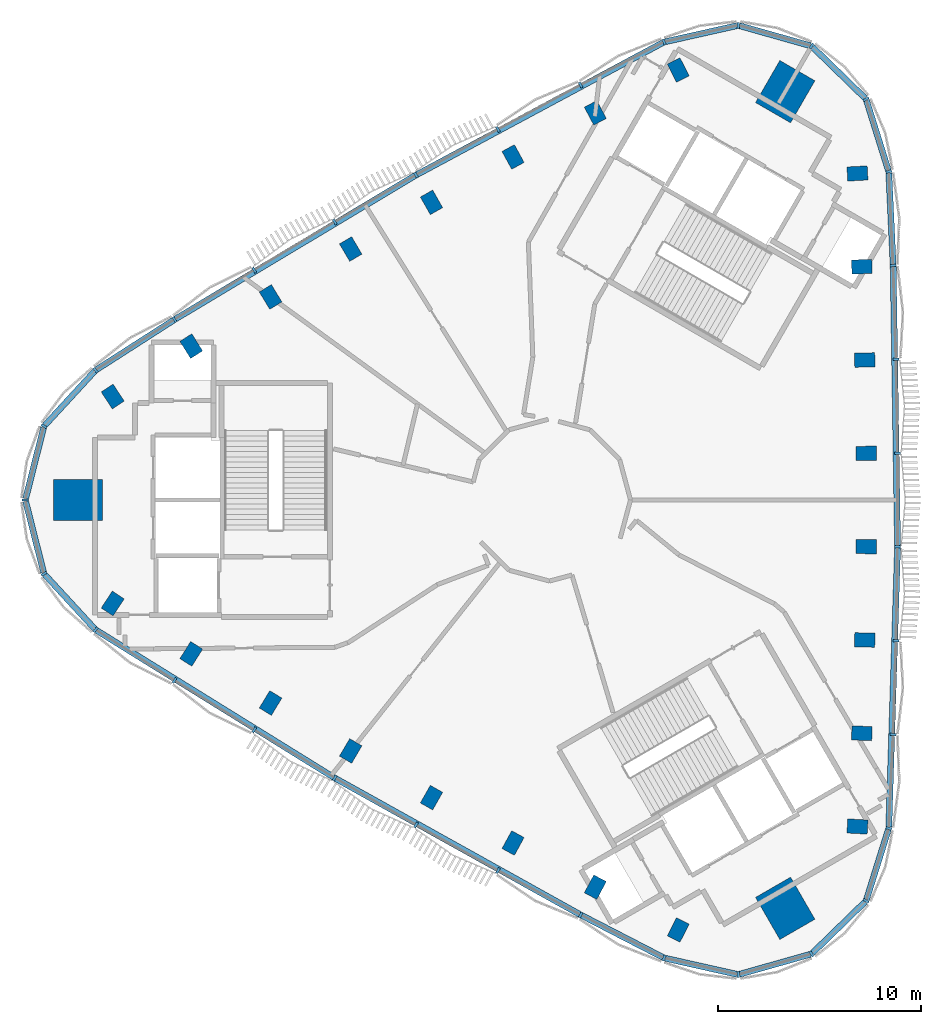
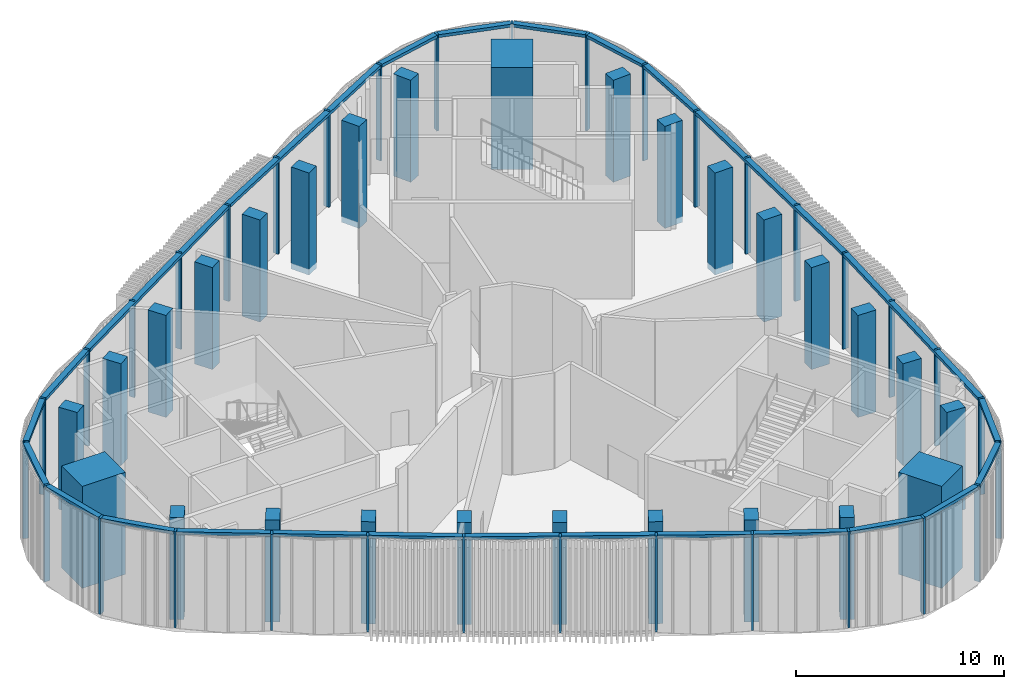
# One storey, part 1 of 11: 54 members, 27 columns, 3 elements without a shape of their own.
"""IFC4 building model written with IfcOpenShell, lengths in metres."""

from ifc_helpers import new_model, si_unit, direction, frame, origin, origin_2d, place, context, subcontext, project, spatial, rectangle, extrude, material, material_profile, profile_set, type_object, element, aggregate, save


model = new_model("IFC4")

# Units and contexts
model_context = context("Model", 3, precision=1e-05, world=origin(), true_north=direction((0.0, 1.0)))
body_context = subcontext(model_context, "Body", "Model", "MODEL_VIEW")
ifc_project = project(units=[si_unit("LENGTHUNIT", "METRE"), si_unit("AREAUNIT", "SQUARE_METRE"), si_unit("VOLUMEUNIT", "CUBIC_METRE"), si_unit("PLANEANGLEUNIT", "RADIAN"), si_unit("MASSUNIT", "GRAM", prefix="KILO")], contexts=[model_context])

# Site, building, storey
site_placement = place(None, origin())
site = spatial("IfcSite", under=ifc_project, at=site_placement, CompositionType="ELEMENT")
building_placement = place(site_placement, origin())
building = spatial("IfcBuilding", under=site, at=building_placement, Name="Tamra Quay Hotel Tower", CompositionType="ELEMENT")
storey_placement = place(building_placement, frame((0.0, 0.0, 306.60009765625)))
storey = spatial("IfcBuildingStorey", under=building, at=storey_placement, Name="L77", CompositionType="ELEMENT", Elevation=306.60009765625)

# Columns
ifc_material_1 = material(Name="Concrete M70", Category="concrete")
ifc_material_profile_1 = material_profile(ifc_material_1, rectangle(XDim=1.0, YDim=0.699951171875, at=origin_2d()), Name="COLUMN RC 700x1000 Z6")
ifc_profile_set_1 = profile_set([ifc_material_profile_1], Name="Concrete M70")
column_type_1 = type_object("IfcColumnType", Name="COLUMN RC 700x1000 Z6", PredefinedType="COLUMN", material=ifc_profile_set_1)
for number, where, z_axis, x_axis, name in (
    (1, (15.202392578125, -16.116943359375, -0.35009765625), (0.0, 0.0, 1.0), (-0.998490919119, 0.05491706873, 0.0), "COL-C6E01-L77"),
    (2, (15.418212890625, -11.51513671875, -0.35009765625), (0.0, 0.0, 1.0), (-0.999251212442, 0.03869127076, 0.0), "COL-C6E02-L77"),
    (3, (15.56201171875, -6.909912109375, -0.35009765625), (0.0, 0.0, 1.0), (-0.999717847188, 0.023753442163, 0.0), "COL-C6E03-L77"),
    (4, (15.634033203125, -2.303466796875, -0.35009765625), (0.0, 0.0, 1.0), (-0.999968634555, 0.007920221337, 0.0), "COL-C6E04-L77"),
    (5, (15.634033203125, 2.303466796875, -0.35009765625), (0.0, 0.0, 1.0), (0.999968634555, 0.007920221337, 0.0), "COL-C6E05-L77"),
    (6, (15.56201171875, 6.909912109375, -0.35009765625), (0.0, 0.0, 1.0), (0.999717847188, 0.023753442163, 0.0), "COL-C6E06-L77"),
    (7, (15.418212890625, 11.51513671875, -0.35009765625), (0.0, 0.0, 1.0), (0.999251212442, 0.03869127076, 0.0), "COL-C6E07-L77"),
    (8, (15.202392578125, 16.116943359375, -0.35009765625), (0.0, 0.0, 1.0), (0.998490919119, 0.05491706873, 0.0), "COL-C6E08-L77"),
    (9, (6.3564453125, 21.22412109375, -0.35009765625), (0.0, 0.0, 1.0), (-0.451685882938, 0.89217703577, 0.0), "COL-C6NW01-L77"),
    (10, (2.26318359375, 19.110107421875, -0.35009765625), (0.0, 0.0, 1.0), (-0.466117982839, 0.884722570117, 0.0), "COL-C6NW02-L77"),
    (11, (-1.796875, 16.93212890625, -0.35009765625), (0.0, 0.0, 1.0), (-0.479287839253, 0.877657773363, 0.0), "COL-C6NW03-L77"),
    (12, (-5.822265625, 14.69140625, -0.35009765625), (0.0, 0.0, 1.0), (-0.493125204396, 0.869958351181, 0.0), "COL-C6NW04-L77"),
    (13, (-9.81201171875, 12.3876953125, -0.35009765625), (0.0, 0.0, 1.0), (-0.506843430159, 0.862038129844, 0.0), "COL-C6NW05-L77"),
    (14, (-13.765380859375, 10.022216796875, -0.35009765625), (0.0, 0.0, 1.0), (-0.520430007934, 0.8539043312, 0.0), "COL-C6NW06-L77"),
    (15, (-17.681396484375, 7.594970703125, -0.35009765625), (0.0, 0.0, 1.0), (-0.533133229604, 0.846031299357, 0.0), "COL-C6NW07-L77"),
    (16, (-21.558837890625, 5.107421875, -0.35009765625), (0.0, 0.0, 1.0), (-0.546805036181, 0.83725996704, 0.0), "COL-C6NW08-L77"),
    (17, (-21.558837890625, -5.107421875, -0.35009765625), (0.0, 0.0, 1.0), (0.546805036181, 0.83725996704, 0.0), "COL-C6SW01-L77"),
    (18, (-17.681396484375, -7.594970703125, -0.35009765625), (0.0, 0.0, 1.0), (0.533133229604, 0.846031299357, 0.0), "COL-C6SW02-L77"),
    (19, (-13.765380859375, -10.022216796875, -0.35009765625), (0.0, 0.0, 1.0), (0.520430007934, 0.8539043312, 0.0), "COL-C6SW03-L77"),
    (20, (-9.81201171875, -12.3876953125, -0.35009765625), (0.0, 0.0, 1.0), (0.506843430159, 0.862038129844, 0.0), "COL-C6SW04-L77"),
    (21, (-5.822265625, -14.69140625, -0.35009765625), (0.0, 0.0, 1.0), (0.493125204396, 0.869958351181, 0.0), "COL-C6SW05-L77"),
    (22, (-1.796875, -16.93212890625, -0.35009765625), (0.0, 0.0, 1.0), (0.479287839253, 0.877657773363, 0.0), "COL-C6SW06-L77"),
    (23, (2.26318359375, -19.110107421875, -0.35009765625), (0.0, 0.0, 1.0), (0.466117982839, 0.884722570117, 0.0), "COL-C6SW07-L77"),
    (24, (6.3564453125, -21.22412109375, -0.35009765625), (0.0, 0.0, 1.0), (0.451685882938, 0.89217703577, 0.0), "COL-C6SW08-L77"),
):
    element("IfcColumn", number, at=place(storey_placement, frame(where, z_axis=z_axis, x_axis=x_axis)), inside=storey, type_object=column_type_1, Name=name, PredefinedType="COLUMN", context=body_context, shape_type="SweptSolid", body=[
        extrude(rectangle(XDim=1.0, YDim=0.699951171875, at=origin_2d()), origin(), (0.0, 0.0, 1.0), 6.0),
    ])
ifc_material_profile_2 = material_profile(ifc_material_1, rectangle(XDim=2.39990234375, YDim=2.0, at=origin_2d()), Name="MEGA COLUMN RC 2000x2400 Z6")
ifc_profile_set_2 = profile_set([ifc_material_profile_2], Name="Concrete M70")
column_type_2 = type_object("IfcColumnType", Name="MEGA COLUMN RC 2000x2400 Z6", PredefinedType="COLUMN", material=ifc_profile_set_2)
for number, where, z_axis, x_axis, name in (
    (25, (11.63671875, 20.1552734375, -0.35009765625), (0.0, 0.0, 1.0), (0.5, 0.866025403784, 0.0), "COL-M6NE-L77"),
    (26, (-23.2734375, 0.0, -0.35009765625), (0.0, 0.0, 1.0), (1.0, 0.0, 0.0), "COL-M6W-L77"),
    (27, (11.63671875, -20.1552734375, -0.35009765625), (0.0, 0.0, 1.0), (-0.5, 0.866025403784, 0.0), "COL-M6SE-L77"),
):
    element("IfcColumn", number, at=place(storey_placement, frame(where, z_axis=z_axis, x_axis=x_axis)), inside=storey, type_object=column_type_2, Name=name, PredefinedType="COLUMN", context=body_context, shape_type="SweptSolid", body=[
        extrude(rectangle(XDim=2.39990234375, YDim=2.0, at=origin_2d()), origin(), (0.0, 0.0, 1.0), 6.0),
    ])

# Curtain wall, members
ifc_material_2 = material(Name="Aluminium 6063 anodised dark grey", Category="aluminium")
curtain_wall_type = type_object("IfcCurtainWallType", Name="CW5 CURTAIN WALL", PredefinedType="NOTDEFINED", material=ifc_material_2)
curtain_wall_1_placement = place(storey_placement, origin())
curtain_wall_1 = element("IfcCurtainWall", 28, at=curtain_wall_1_placement, inside=storey, type_object=curtain_wall_type, Name="CW5 east face L77", PredefinedType="NOTDEFINED")
ifc_material_profile_3 = material_profile(ifc_material_2, rectangle(XDim=0.300048828125, YDim=0.1201171875, at=origin_2d()), Name="MULLION 120X300")
ifc_profile_set_3 = profile_set([ifc_material_profile_3], Name="Aluminium 6063 anodised dark grey")
member_type_1 = type_object("IfcMemberType", Name="MULLION CW5", PredefinedType="MULLION", material=ifc_profile_set_3)
member_1_placement = place(storey_placement, frame((16.750244140625, -16.201904296875, 0.0), z_axis=(0.0, 0.0, 1.0), x_axis=(0.984739919142, -0.17403244424, 0.0)))
member_1 = element("IfcMember", 29, at=member_1_placement, type_object=member_type_1, Name="CW5 mullion L77.E.1", PredefinedType="MULLION", context=body_context, shape_type="SweptSolid", body=[
    extrude(rectangle(XDim=0.300048828125, YDim=0.1201171875, at=origin_2d()), origin(), (0.0, 0.0, 1.0), 5.64990234375),
])
member_2_placement = place(storey_placement, frame((16.967041015625, -11.5751953125, 0.0), z_axis=(0.0, 0.0, 1.0), x_axis=(0.999237932653, -0.039032729186, 0.0)))
member_2 = element("IfcMember", 30, at=member_2_placement, type_object=member_type_1, Name="CW5 mullion L77.E.2", PredefinedType="MULLION", context=body_context, shape_type="SweptSolid", body=[
    extrude(rectangle(XDim=0.300048828125, YDim=0.1201171875, at=origin_2d()), origin(), (0.0, 0.0, 1.0), 5.64990234375),
])
member_3_placement = place(storey_placement, frame((17.111572265625, -6.94677734375, 0.0), z_axis=(0.0, 0.0, 1.0), x_axis=(0.999725297835, -0.02343776586, 0.0)))
member_3 = element("IfcMember", 31, at=member_3_placement, type_object=member_type_1, Name="CW5 mullion L77.E.3", PredefinedType="MULLION", context=body_context, shape_type="SweptSolid", body=[
    extrude(rectangle(XDim=0.300048828125, YDim=0.1201171875, at=origin_2d()), origin(), (0.0, 0.0, 1.0), 5.64990234375),
])
member_4_placement = place(storey_placement, frame((17.18408203125, -2.315673828125, 0.0), z_axis=(0.0, 0.0, 1.0), x_axis=(0.999969451606, -0.007816383692, 0.0)))
member_4 = element("IfcMember", 32, at=member_4_placement, type_object=member_type_1, Name="CW5 mullion L77.E.4", PredefinedType="MULLION", context=body_context, shape_type="SweptSolid", body=[
    extrude(rectangle(XDim=0.300048828125, YDim=0.1201171875, at=origin_2d()), origin(), (0.0, 0.0, 1.0), 5.64990234375),
])
member_5_placement = place(storey_placement, frame((17.18408203125, 2.315673828125, 0.0), z_axis=(0.0, 0.0, 1.0), x_axis=(0.999969451606, 0.007816383692, 0.0)))
member_5 = element("IfcMember", 33, at=member_5_placement, type_object=member_type_1, Name="CW5 mullion L77.E.5", PredefinedType="MULLION", context=body_context, shape_type="SweptSolid", body=[
    extrude(rectangle(XDim=0.300048828125, YDim=0.1201171875, at=origin_2d()), origin(), (0.0, 0.0, 1.0), 5.64990234375),
])
member_6_placement = place(storey_placement, frame((17.111572265625, 6.94677734375, 0.0), z_axis=(0.0, 0.0, 1.0), x_axis=(0.999725297835, 0.02343776586, 0.0)))
member_6 = element("IfcMember", 34, at=member_6_placement, type_object=member_type_1, Name="CW5 mullion L77.E.6", PredefinedType="MULLION", context=body_context, shape_type="SweptSolid", body=[
    extrude(rectangle(XDim=0.300048828125, YDim=0.1201171875, at=origin_2d()), origin(), (0.0, 0.0, 1.0), 5.64990234375),
])
member_7_placement = place(storey_placement, frame((16.967041015625, 11.5751953125, 0.0), z_axis=(0.0, 0.0, 1.0), x_axis=(0.999237932653, 0.039032729186, 0.0)))
member_7 = element("IfcMember", 35, at=member_7_placement, type_object=member_type_1, Name="CW5 mullion L77.E.7", PredefinedType="MULLION", context=body_context, shape_type="SweptSolid", body=[
    extrude(rectangle(XDim=0.300048828125, YDim=0.1201171875, at=origin_2d()), origin(), (0.0, 0.0, 1.0), 5.64990234375),
])
member_8_placement = place(storey_placement, frame((16.750244140625, 16.201904296875, 0.0), z_axis=(0.0, 0.0, 1.0), x_axis=(0.984739919142, 0.17403244424, 0.0)))
member_8 = element("IfcMember", 36, at=member_8_placement, type_object=member_type_1, Name="CW5 mullion L77.E.8", PredefinedType="MULLION", context=body_context, shape_type="SweptSolid", body=[
    extrude(rectangle(XDim=0.300048828125, YDim=0.1201171875, at=origin_2d()), origin(), (0.0, 0.0, 1.0), 5.64990234375),
])
member_9_placement = place(storey_placement, frame((15.629150390625, 19.787353515625, 0.0), z_axis=(0.0, 0.0, 1.0), x_axis=(0.851964184595, 0.523600065094, 0.0)))
member_9 = element("IfcMember", 37, at=member_9_placement, type_object=member_type_1, Name="CW5 mullion L77.E.9", PredefinedType="MULLION", context=body_context, shape_type="SweptSolid", body=[
    extrude(rectangle(XDim=0.300048828125, YDim=0.1201171875, at=origin_2d()), origin(), (0.0, 0.0, 1.0), 5.64990234375),
])
member_10_placement = place(storey_placement, frame((12.936767578125, 22.406982421875, 0.0), z_axis=(0.0, 0.0, 1.0), x_axis=(0.5, 0.866025403784, 0.0)))
member_10 = element("IfcMember", 38, at=member_10_placement, type_object=member_type_1, Name="CW5 mullion L77.E.10", PredefinedType="MULLION", context=body_context, shape_type="SweptSolid", body=[
    extrude(rectangle(XDim=0.300048828125, YDim=0.1201171875, at=origin_2d()), origin(), (0.0, 0.0, 1.0), 5.64990234375),
])
member_11_placement = place(storey_placement, frame((9.32177734375, 23.428955078125, 0.0), z_axis=(0.0, 0.0, 1.0), x_axis=(0.027468865497, 0.999622659521, 0.0)))
member_11 = element("IfcMember", 39, at=member_11_placement, type_object=member_type_1, Name="CW5 mullion L77.E.11", PredefinedType="MULLION", context=body_context, shape_type="SweptSolid", body=[
    extrude(rectangle(XDim=0.300048828125, YDim=0.1201171875, at=origin_2d()), origin(), (0.0, 0.0, 1.0), 5.64990234375),
])

curtain_wall_2_placement = place(storey_placement, origin())
curtain_wall_2 = element("IfcCurtainWall", 40, at=curtain_wall_2_placement, inside=storey, type_object=curtain_wall_type, Name="CW5 north-west face L77", PredefinedType="NOTDEFINED")
member_12_placement = place(storey_placement, frame((5.65625, 22.607177734375, 0.0), z_axis=(0.0, 0.0, 1.0), x_axis=(-0.341653441776, 0.939826008218, 0.0)))
member_12 = element("IfcMember", 41, at=member_12_placement, type_object=member_type_1, Name="CW5 mullion L77.NW.1", PredefinedType="MULLION", context=body_context, shape_type="SweptSolid", body=[
    extrude(rectangle(XDim=0.300048828125, YDim=0.1201171875, at=origin_2d()), origin(), (0.0, 0.0, 1.0), 5.64990234375),
])
member_13_placement = place(storey_placement, frame((1.540771484375, 20.4814453125, 0.0), z_axis=(0.0, 0.0, 1.0), x_axis=(-0.465815631272, 0.884881798696, 0.0)))
member_13 = element("IfcMember", 42, at=member_13_placement, type_object=member_type_1, Name="CW5 mullion L77.NW.2", PredefinedType="MULLION", context=body_context, shape_type="SweptSolid", body=[
    extrude(rectangle(XDim=0.300048828125, YDim=0.1201171875, at=origin_2d()), origin(), (0.0, 0.0, 1.0), 5.64990234375),
])
member_14_placement = place(storey_placement, frame((-2.539794921875, 18.29248046875, 0.0), z_axis=(0.0, 0.0, 1.0), x_axis=(-0.479564948275, 0.877506387661, 0.0)))
member_14 = element("IfcMember", 43, at=member_14_placement, type_object=member_type_1, Name="CW5 mullion L77.NW.3", PredefinedType="MULLION", context=body_context, shape_type="SweptSolid", body=[
    extrude(rectangle(XDim=0.300048828125, YDim=0.1201171875, at=origin_2d()), origin(), (0.0, 0.0, 1.0), 5.64990234375),
])
member_15_placement = place(storey_placement, frame((-6.58642578125, 16.039794921875, 0.0), z_axis=(0.0, 0.0, 1.0), x_axis=(-0.49321553896, 0.869907139946, 0.0)))
member_15 = element("IfcMember", 44, at=member_15_placement, type_object=member_type_1, Name="CW5 mullion L77.NW.4", PredefinedType="MULLION", context=body_context, shape_type="SweptSolid", body=[
    extrude(rectangle(XDim=0.300048828125, YDim=0.1201171875, at=origin_2d()), origin(), (0.0, 0.0, 1.0), 5.64990234375),
])
member_16_placement = place(storey_placement, frame((-10.59765625, 13.723876953125, 0.0), z_axis=(0.0, 0.0, 1.0), x_axis=(-0.506753912646, 0.862090756253, 0.0)))
member_16 = element("IfcMember", 45, at=member_16_placement, type_object=member_type_1, Name="CW5 mullion L77.NW.5", PredefinedType="MULLION", context=body_context, shape_type="SweptSolid", body=[
    extrude(rectangle(XDim=0.300048828125, YDim=0.1201171875, at=origin_2d()), origin(), (0.0, 0.0, 1.0), 5.64990234375),
])
member_17_placement = place(storey_placement, frame((-14.572021484375, 11.345703125, 0.0), z_axis=(0.0, 0.0, 1.0), x_axis=(-0.52016034956, 0.854068621801, 0.0)))
member_17 = element("IfcMember", 46, at=member_17_placement, type_object=member_type_1, Name="CW5 mullion L77.NW.6", PredefinedType="MULLION", context=body_context, shape_type="SweptSolid", body=[
    extrude(rectangle(XDim=0.300048828125, YDim=0.1201171875, at=origin_2d()), origin(), (0.0, 0.0, 1.0), 5.64990234375),
])
member_18_placement = place(storey_placement, frame((-18.5078125, 8.90625, 0.0), z_axis=(0.0, 0.0, 1.0), x_axis=(-0.533422301381, 0.845849069509, 0.0)))
member_18 = element("IfcMember", 47, at=member_18_placement, type_object=member_type_1, Name="CW5 mullion L77.NW.7", PredefinedType="MULLION", context=body_context, shape_type="SweptSolid", body=[
    extrude(rectangle(XDim=0.300048828125, YDim=0.1201171875, at=origin_2d()), origin(), (0.0, 0.0, 1.0), 5.64990234375),
])
member_19_placement = place(storey_placement, frame((-22.406494140625, 6.405029296875, 0.0), z_axis=(0.0, 0.0, 1.0), x_axis=(-0.643086477366, 0.765793563978, 0.0)))
member_19 = element("IfcMember", 48, at=member_19_placement, type_object=member_type_1, Name="CW5 mullion L77.NW.8", PredefinedType="MULLION", context=body_context, shape_type="SweptSolid", body=[
    extrude(rectangle(XDim=0.300048828125, YDim=0.1201171875, at=origin_2d()), origin(), (0.0, 0.0, 1.0), 5.64990234375),
])
member_20_placement = place(storey_placement, frame((-24.950927734375, 3.6416015625, 0.0), z_axis=(0.0, 0.0, 1.0), x_axis=(-0.879433050093, 0.476022594427, 0.0)))
member_20 = element("IfcMember", 49, at=member_20_placement, type_object=member_type_1, Name="CW5 mullion L77.NW.9", PredefinedType="MULLION", context=body_context, shape_type="SweptSolid", body=[
    extrude(rectangle(XDim=0.300048828125, YDim=0.1201171875, at=origin_2d()), origin(), (0.0, 0.0, 1.0), 5.64990234375),
])
member_21_placement = place(storey_placement, frame((-25.873291015625, 0.0, 0.0), z_axis=(0.0, 0.0, 1.0), x_axis=(-1.0, 0.0, 0.0)))
member_21 = element("IfcMember", 50, at=member_21_placement, type_object=member_type_1, Name="CW5 mullion L77.NW.10", PredefinedType="MULLION", context=body_context, shape_type="SweptSolid", body=[
    extrude(rectangle(XDim=0.300048828125, YDim=0.1201171875, at=origin_2d()), origin(), (0.0, 0.0, 1.0), 5.64990234375),
])
member_22_placement = place(storey_placement, frame((-24.950927734375, -3.6416015625, 0.0), z_axis=(0.0, 0.0, 1.0), x_axis=(-0.879433050093, -0.476022594427, 0.0)))
member_22 = element("IfcMember", 51, at=member_22_placement, type_object=member_type_1, Name="CW5 mullion L77.NW.11", PredefinedType="MULLION", context=body_context, shape_type="SweptSolid", body=[
    extrude(rectangle(XDim=0.300048828125, YDim=0.1201171875, at=origin_2d()), origin(), (0.0, 0.0, 1.0), 5.64990234375),
])

curtain_wall_3_placement = place(storey_placement, origin())
curtain_wall_3 = element("IfcCurtainWall", 52, at=curtain_wall_3_placement, inside=storey, type_object=curtain_wall_type, Name="CW5 south-west face L77", PredefinedType="NOTDEFINED")
member_23_placement = place(storey_placement, frame((-22.406494140625, -6.405029296875, 0.0), z_axis=(0.0, 0.0, 1.0), x_axis=(-0.643086477366, -0.765793563978, 0.0)))
member_23 = element("IfcMember", 53, at=member_23_placement, type_object=member_type_1, Name="CW5 mullion L77.SW.1", PredefinedType="MULLION", context=body_context, shape_type="SweptSolid", body=[
    extrude(rectangle(XDim=0.300048828125, YDim=0.1201171875, at=origin_2d()), origin(), (0.0, 0.0, 1.0), 5.64990234375),
])
member_24_placement = place(storey_placement, frame((-18.5078125, -8.90625, 0.0), z_axis=(0.0, 0.0, 1.0), x_axis=(-0.533422301381, -0.845849069509, 0.0)))
member_24 = element("IfcMember", 54, at=member_24_placement, type_object=member_type_1, Name="CW5 mullion L77.SW.2", PredefinedType="MULLION", context=body_context, shape_type="SweptSolid", body=[
    extrude(rectangle(XDim=0.300048828125, YDim=0.1201171875, at=origin_2d()), origin(), (0.0, 0.0, 1.0), 5.64990234375),
])
member_25_placement = place(storey_placement, frame((-14.572021484375, -11.345703125, 0.0), z_axis=(0.0, 0.0, 1.0), x_axis=(-0.52016034956, -0.854068621801, 0.0)))
member_25 = element("IfcMember", 55, at=member_25_placement, type_object=member_type_1, Name="CW5 mullion L77.SW.3", PredefinedType="MULLION", context=body_context, shape_type="SweptSolid", body=[
    extrude(rectangle(XDim=0.300048828125, YDim=0.1201171875, at=origin_2d()), origin(), (0.0, 0.0, 1.0), 5.64990234375),
])
member_26_placement = place(storey_placement, frame((-10.59765625, -13.723876953125, 0.0), z_axis=(0.0, 0.0, 1.0), x_axis=(-0.506753912646, -0.862090756253, 0.0)))
member_26 = element("IfcMember", 56, at=member_26_placement, type_object=member_type_1, Name="CW5 mullion L77.SW.4", PredefinedType="MULLION", context=body_context, shape_type="SweptSolid", body=[
    extrude(rectangle(XDim=0.300048828125, YDim=0.1201171875, at=origin_2d()), origin(), (0.0, 0.0, 1.0), 5.64990234375),
])
member_27_placement = place(storey_placement, frame((-6.58642578125, -16.039794921875, 0.0), z_axis=(0.0, 0.0, 1.0), x_axis=(-0.49321553896, -0.869907139946, 0.0)))
member_27 = element("IfcMember", 57, at=member_27_placement, type_object=member_type_1, Name="CW5 mullion L77.SW.5", PredefinedType="MULLION", context=body_context, shape_type="SweptSolid", body=[
    extrude(rectangle(XDim=0.300048828125, YDim=0.1201171875, at=origin_2d()), origin(), (0.0, 0.0, 1.0), 5.64990234375),
])
member_28_placement = place(storey_placement, frame((-2.539794921875, -18.29248046875, 0.0), z_axis=(0.0, 0.0, 1.0), x_axis=(-0.479564948275, -0.877506387661, 0.0)))
member_28 = element("IfcMember", 58, at=member_28_placement, type_object=member_type_1, Name="CW5 mullion L77.SW.6", PredefinedType="MULLION", context=body_context, shape_type="SweptSolid", body=[
    extrude(rectangle(XDim=0.300048828125, YDim=0.1201171875, at=origin_2d()), origin(), (0.0, 0.0, 1.0), 5.64990234375),
])
member_29_placement = place(storey_placement, frame((1.540771484375, -20.4814453125, 0.0), z_axis=(0.0, 0.0, 1.0), x_axis=(-0.465815631272, -0.884881798696, 0.0)))
member_29 = element("IfcMember", 59, at=member_29_placement, type_object=member_type_1, Name="CW5 mullion L77.SW.7", PredefinedType="MULLION", context=body_context, shape_type="SweptSolid", body=[
    extrude(rectangle(XDim=0.300048828125, YDim=0.1201171875, at=origin_2d()), origin(), (0.0, 0.0, 1.0), 5.64990234375),
])
member_30_placement = place(storey_placement, frame((5.65625, -22.607177734375, 0.0), z_axis=(0.0, 0.0, 1.0), x_axis=(-0.341653441776, -0.939826008218, 0.0)))
member_30 = element("IfcMember", 60, at=member_30_placement, type_object=member_type_1, Name="CW5 mullion L77.SW.8", PredefinedType="MULLION", context=body_context, shape_type="SweptSolid", body=[
    extrude(rectangle(XDim=0.300048828125, YDim=0.1201171875, at=origin_2d()), origin(), (0.0, 0.0, 1.0), 5.64990234375),
])
member_31_placement = place(storey_placement, frame((9.32177734375, -23.428955078125, 0.0), z_axis=(0.0, 0.0, 1.0), x_axis=(0.027468865497, -0.999622659521, 0.0)))
member_31 = element("IfcMember", 61, at=member_31_placement, type_object=member_type_1, Name="CW5 mullion L77.SW.9", PredefinedType="MULLION", context=body_context, shape_type="SweptSolid", body=[
    extrude(rectangle(XDim=0.300048828125, YDim=0.1201171875, at=origin_2d()), origin(), (0.0, 0.0, 1.0), 5.64990234375),
])
member_32_placement = place(storey_placement, frame((12.936767578125, -22.406982421875, 0.0), z_axis=(0.0, 0.0, 1.0), x_axis=(0.5, -0.866025403784, 0.0)))
member_32 = element("IfcMember", 62, at=member_32_placement, type_object=member_type_1, Name="CW5 mullion L77.SW.10", PredefinedType="MULLION", context=body_context, shape_type="SweptSolid", body=[
    extrude(rectangle(XDim=0.300048828125, YDim=0.1201171875, at=origin_2d()), origin(), (0.0, 0.0, 1.0), 5.64990234375),
])
member_33_placement = place(storey_placement, frame((15.629150390625, -19.787353515625, 0.0), z_axis=(0.0, 0.0, 1.0), x_axis=(0.851964184595, -0.523600065094, 0.0)))
member_33 = element("IfcMember", 63, at=member_33_placement, type_object=member_type_1, Name="CW5 mullion L77.SW.11", PredefinedType="MULLION", context=body_context, shape_type="SweptSolid", body=[
    extrude(rectangle(XDim=0.300048828125, YDim=0.1201171875, at=origin_2d()), origin(), (0.0, 0.0, 1.0), 5.64990234375),
])

# Member
ifc_material_profile_4 = material_profile(ifc_material_2, rectangle(XDim=0.300048828125, YDim=0.179931640625, at=origin_2d()), Name="TRANSOM 300X180")
ifc_profile_set_4 = profile_set([ifc_material_profile_4], Name="Aluminium 6063 anodised dark grey")
member_type_2 = type_object("IfcMemberType", Name="TRANSOM CW5", PredefinedType="USERDEFINED", material=ifc_profile_set_4)
member_34_placement = place(storey_placement, frame((16.7529296875, -16.14208984375, 5.559814453125), z_axis=(0.031233092193, 0.999512127966, 0.0), x_axis=(-0.999512127966, 0.031233092193, 0.0)))
member_34 = element("IfcMember", 64, at=member_34_placement, type_object=member_type_2, Name="CW5 transom L77.E.1", ObjectType="TRANSOM", PredefinedType="USERDEFINED", context=body_context, shape_type="SweptSolid", body=[
    extrude(rectangle(XDim=0.300048828125, YDim=0.179931640625, at=origin_2d()), origin(), (0.0, 0.0, 1.0), 13.773193359375),
])

member_35_placement = place(storey_placement, frame((17.18408203125, -2.255859375, 5.559814453125), z_axis=(-0.015617001021, 0.999878047203, 0.0), x_axis=(-0.999878047203, -0.015617001021, 0.0)))
member_35 = element("IfcMember", 65, at=member_35_placement, type_object=member_type_2, Name="CW5 transom L77.E.4", ObjectType="TRANSOM", PredefinedType="USERDEFINED", context=body_context, shape_type="SweptSolid", body=[
    extrude(rectangle(XDim=0.300048828125, YDim=0.179931640625, at=origin_2d()), origin(), (0.0, 0.0, 1.0), 13.772705078125),
])

member_36_placement = place(storey_placement, frame((16.964111328125, 11.635009765625, 5.559814453125), z_axis=(-0.046804183543, 0.998904083685, 0.0), x_axis=(-0.998904083685, -0.046804183543, 0.0)))
member_36 = element("IfcMember", 66, at=member_36_placement, type_object=member_type_2, Name="CW5 transom L77.E.7", ObjectType="TRANSOM", PredefinedType="USERDEFINED", context=body_context, shape_type="SweptSolid", body=[
    extrude(rectangle(XDim=0.300048828125, YDim=0.179931640625, at=origin_2d()), origin(), (0.0, 0.0, 1.0), 4.511962890625),
])

member_37_placement = place(storey_placement, frame((16.732177734375, 16.25927734375, 5.559814453125), z_axis=(-0.298347622231, 0.95445727841, 0.0), x_axis=(-0.95445727841, -0.298347622231, 0.0)))
member_37 = element("IfcMember", 67, at=member_37_placement, type_object=member_type_2, Name="CW5 transom L77.E.8", ObjectType="TRANSOM", PredefinedType="USERDEFINED", context=body_context, shape_type="SweptSolid", body=[
    extrude(rectangle(XDim=0.300048828125, YDim=0.179931640625, at=origin_2d()), origin(), (0.0, 0.0, 1.0), 3.636474609375),
])

member_38_placement = place(storey_placement, frame((15.586181640625, 19.829345703125, 5.559814453125), z_axis=(-0.716741348026, 0.697339114083, 0.0), x_axis=(-0.697339114083, -0.716741348026, 0.0)))
member_38 = element("IfcMember", 68, at=member_38_placement, type_object=member_type_2, Name="CW5 transom L77.E.9", ObjectType="TRANSOM", PredefinedType="USERDEFINED", context=body_context, shape_type="SweptSolid", body=[
    extrude(rectangle(XDim=0.300048828125, YDim=0.179931640625, at=origin_2d()), origin(), (0.0, 0.0, 1.0), 3.636474609375),
])

member_39_placement = place(storey_placement, frame((12.87890625, 22.42333984375, 5.559814453125), z_axis=(-0.962285335526, 0.272042153042, 0.0), x_axis=(-0.272042153042, -0.962285335526, 0.0)))
member_39 = element("IfcMember", 69, at=member_39_placement, type_object=member_type_2, Name="CW5 transom L77.E.10", ObjectType="TRANSOM", PredefinedType="USERDEFINED", context=body_context, shape_type="SweptSolid", body=[
    extrude(rectangle(XDim=0.300048828125, YDim=0.179931640625, at=origin_2d()), origin(), (0.0, 0.0, 1.0), 3.636474609375),
])

member_40_placement = place(storey_placement, frame((9.26318359375, 23.416015625, 5.559814453125), z_axis=(-0.975755474563, -0.218863550783, 0.0), x_axis=(0.218863550783, -0.975755474563, 0.0)))
member_40 = element("IfcMember", 70, at=member_40_placement, type_object=member_type_2, Name="CW5 transom L77.E.11", ObjectType="TRANSOM", PredefinedType="USERDEFINED", context=body_context, shape_type="SweptSolid", body=[
    extrude(rectangle(XDim=0.300048828125, YDim=0.179931640625, at=origin_2d()), origin(), (0.0, 0.0, 1.0), 3.636474609375),
])

aggregate(curtain_wall_1, [member_1, member_34, member_2, member_3, member_4, member_35, member_5, member_6, member_7, member_36, member_8, member_37, member_9, member_38, member_10, member_39, member_11, member_40])

member_41_placement = place(storey_placement, frame((5.60302734375, 22.57958984375, 5.559814453125), z_axis=(-0.881217900904, -0.472710282442, 0.0), x_axis=(0.472710282442, -0.881217900904, 0.0)))
member_41 = element("IfcMember", 71, at=member_41_placement, type_object=member_type_2, Name="CW5 transom L77.NW.1", ObjectType="TRANSOM", PredefinedType="USERDEFINED", context=body_context, shape_type="SweptSolid", body=[
    extrude(rectangle(XDim=0.300048828125, YDim=0.179931640625, at=origin_2d()), origin(), (0.0, 0.0, 1.0), 13.773193359375),
])

member_42_placement = place(storey_placement, frame((-6.638427734375, 16.009765625, 5.559814453125), z_axis=(-0.858108570131, -0.51346828711, 0.0), x_axis=(0.51346828711, -0.858108570131, 0.0)))
member_42 = element("IfcMember", 72, at=member_42_placement, type_object=member_type_2, Name="CW5 transom L77.NW.4", ObjectType="TRANSOM", PredefinedType="USERDEFINED", context=body_context, shape_type="SweptSolid", body=[
    extrude(rectangle(XDim=0.300048828125, YDim=0.179931640625, at=origin_2d()), origin(), (0.0, 0.0, 1.0), 13.7724609375),
])

member_43_placement = place(storey_placement, frame((-18.558349609375, 8.8740234375, 5.559814453125), z_axis=(-0.841661601847, -0.540005322175, 0.0), x_axis=(0.540005322175, -0.841661601847, 0.0)))
member_43 = element("IfcMember", 73, at=member_43_placement, type_object=member_type_2, Name="CW5 transom L77.NW.7", ObjectType="TRANSOM", PredefinedType="USERDEFINED", context=body_context, shape_type="SweptSolid", body=[
    extrude(rectangle(XDim=0.300048828125, YDim=0.179931640625, at=origin_2d()), origin(), (0.0, 0.0, 1.0), 4.511962890625),
])

member_44_placement = place(storey_placement, frame((-22.447021484375, 6.36083984375, 5.559814453125), z_axis=(-0.677404062469, -0.735611131068, 0.0), x_axis=(0.735611131068, -0.677404062469, 0.0)))
member_44 = element("IfcMember", 74, at=member_44_placement, type_object=member_type_2, Name="CW5 transom L77.NW.8", ObjectType="TRANSOM", PredefinedType="USERDEFINED", context=body_context, shape_type="SweptSolid", body=[
    extrude(rectangle(XDim=0.300048828125, YDim=0.179931640625, at=origin_2d()), origin(), (0.0, 0.0, 1.0), 3.636474609375),
])

member_45_placement = place(storey_placement, frame((-24.9658203125, 3.58349609375, 5.559814453125), z_axis=(-0.245504121533, -0.96939554688, 0.0), x_axis=(0.96939554688, -0.245504121533, 0.0)))
member_45 = element("IfcMember", 75, at=member_45_placement, type_object=member_type_2, Name="CW5 transom L77.NW.9", ObjectType="TRANSOM", PredefinedType="USERDEFINED", context=body_context, shape_type="SweptSolid", body=[
    extrude(rectangle(XDim=0.300048828125, YDim=0.179931640625, at=origin_2d()), origin(), (0.0, 0.0, 1.0), 3.63671875),
])

member_46_placement = place(storey_placement, frame((-25.858642578125, -0.05810546875, 5.559814453125), z_axis=(0.245504121533, -0.96939554688, 0.0), x_axis=(0.96939554688, 0.245504121533, 0.0)))
member_46 = element("IfcMember", 76, at=member_46_placement, type_object=member_type_2, Name="CW5 transom L77.NW.10", ObjectType="TRANSOM", PredefinedType="USERDEFINED", context=body_context, shape_type="SweptSolid", body=[
    extrude(rectangle(XDim=0.300048828125, YDim=0.179931640625, at=origin_2d()), origin(), (0.0, 0.0, 1.0), 3.63671875),
])

member_47_placement = place(storey_placement, frame((-24.910400390625, -3.685791015625, 5.559814453125), z_axis=(0.677404062469, -0.735611131068, 0.0), x_axis=(0.735611131068, 0.677404062469, 0.0)))
member_47 = element("IfcMember", 77, at=member_47_placement, type_object=member_type_2, Name="CW5 transom L77.NW.11", ObjectType="TRANSOM", PredefinedType="USERDEFINED", context=body_context, shape_type="SweptSolid", body=[
    extrude(rectangle(XDim=0.300048828125, YDim=0.179931640625, at=origin_2d()), origin(), (0.0, 0.0, 1.0), 3.636474609375),
])

aggregate(curtain_wall_2, [member_12, member_41, member_13, member_14, member_15, member_42, member_16, member_17, member_18, member_43, member_19, member_44, member_20, member_45, member_21, member_46, member_22, member_47])

member_48_placement = place(storey_placement, frame((-22.35595703125, -6.4375, 5.559814453125), z_axis=(0.849986988919, -0.526803681335, 0.0), x_axis=(0.526803681335, 0.849986988919, 0.0)))
member_48 = element("IfcMember", 78, at=member_48_placement, type_object=member_type_2, Name="CW5 transom L77.SW.1", ObjectType="TRANSOM", PredefinedType="USERDEFINED", context=body_context, shape_type="SweptSolid", body=[
    extrude(rectangle(XDim=0.300048828125, YDim=0.179931640625, at=origin_2d()), origin(), (0.0, 0.0, 1.0), 13.77294921875),
])

member_49_placement = place(storey_placement, frame((-10.545654296875, -13.75390625, 5.559814453125), z_axis=(0.87373050397, -0.486410327226, 0.0), x_axis=(0.486410327226, 0.87373050397, 0.0)))
member_49 = element("IfcMember", 79, at=member_49_placement, type_object=member_type_2, Name="CW5 transom L77.SW.4", ObjectType="TRANSOM", PredefinedType="USERDEFINED", context=body_context, shape_type="SweptSolid", body=[
    extrude(rectangle(XDim=0.300048828125, YDim=0.179931640625, at=origin_2d()), origin(), (0.0, 0.0, 1.0), 13.772705078125),
])

member_50_placement = place(storey_placement, frame((1.59423828125, -20.509033203125, 5.559814453125), z_axis=(0.888484743048, -0.458906157478, 0.0), x_axis=(0.458906157478, 0.888484743048, 0.0)))
member_50 = element("IfcMember", 80, at=member_50_placement, type_object=member_type_2, Name="CW5 transom L77.SW.7", ObjectType="TRANSOM", PredefinedType="USERDEFINED", context=body_context, shape_type="SweptSolid", body=[
    extrude(rectangle(XDim=0.300048828125, YDim=0.179931640625, at=origin_2d()), origin(), (0.0, 0.0, 1.0), 4.511962890625),
])

member_51_placement = place(storey_placement, frame((5.71484375, -22.6201171875, 5.559814453125), z_axis=(0.975755474563, -0.218863550783, 0.0), x_axis=(0.218863550783, 0.975755474563, 0.0)))
member_51 = element("IfcMember", 81, at=member_51_placement, type_object=member_type_2, Name="CW5 transom L77.SW.8", ObjectType="TRANSOM", PredefinedType="USERDEFINED", context=body_context, shape_type="SweptSolid", body=[
    extrude(rectangle(XDim=0.300048828125, YDim=0.179931640625, at=origin_2d()), origin(), (0.0, 0.0, 1.0), 3.636474609375),
])

member_52_placement = place(storey_placement, frame((9.379638671875, -23.41259765625, 5.559814453125), z_axis=(0.962285335526, 0.272042153042, 0.0), x_axis=(-0.272042153042, 0.962285335526, 0.0)))
member_52 = element("IfcMember", 82, at=member_52_placement, type_object=member_type_2, Name="CW5 transom L77.SW.9", ObjectType="TRANSOM", PredefinedType="USERDEFINED", context=body_context, shape_type="SweptSolid", body=[
    extrude(rectangle(XDim=0.300048828125, YDim=0.179931640625, at=origin_2d()), origin(), (0.0, 0.0, 1.0), 3.636474609375),
])

member_53_placement = place(storey_placement, frame((12.979736328125, -22.365234375, 5.559814453125), z_axis=(0.716741348026, 0.697339114083, 0.0), x_axis=(-0.697339114083, 0.716741348026, 0.0)))
member_53 = element("IfcMember", 83, at=member_53_placement, type_object=member_type_2, Name="CW5 transom L77.SW.10", ObjectType="TRANSOM", PredefinedType="USERDEFINED", context=body_context, shape_type="SweptSolid", body=[
    extrude(rectangle(XDim=0.300048828125, YDim=0.179931640625, at=origin_2d()), origin(), (0.0, 0.0, 1.0), 3.636474609375),
])

member_54_placement = place(storey_placement, frame((15.647216796875, -19.730224609375, 5.559814453125), z_axis=(0.298347622231, 0.95445727841, 0.0), x_axis=(-0.95445727841, 0.298347622231, 0.0)))
member_54 = element("IfcMember", 84, at=member_54_placement, type_object=member_type_2, Name="CW5 transom L77.SW.11", ObjectType="TRANSOM", PredefinedType="USERDEFINED", context=body_context, shape_type="SweptSolid", body=[
    extrude(rectangle(XDim=0.300048828125, YDim=0.179931640625, at=origin_2d()), origin(), (0.0, 0.0, 1.0), 3.636474609375),
])

aggregate(curtain_wall_3, [member_23, member_48, member_24, member_25, member_26, member_49, member_27, member_28, member_29, member_50, member_30, member_51, member_31, member_52, member_32, member_53, member_33, member_54])

save(model, "model.ifc")
